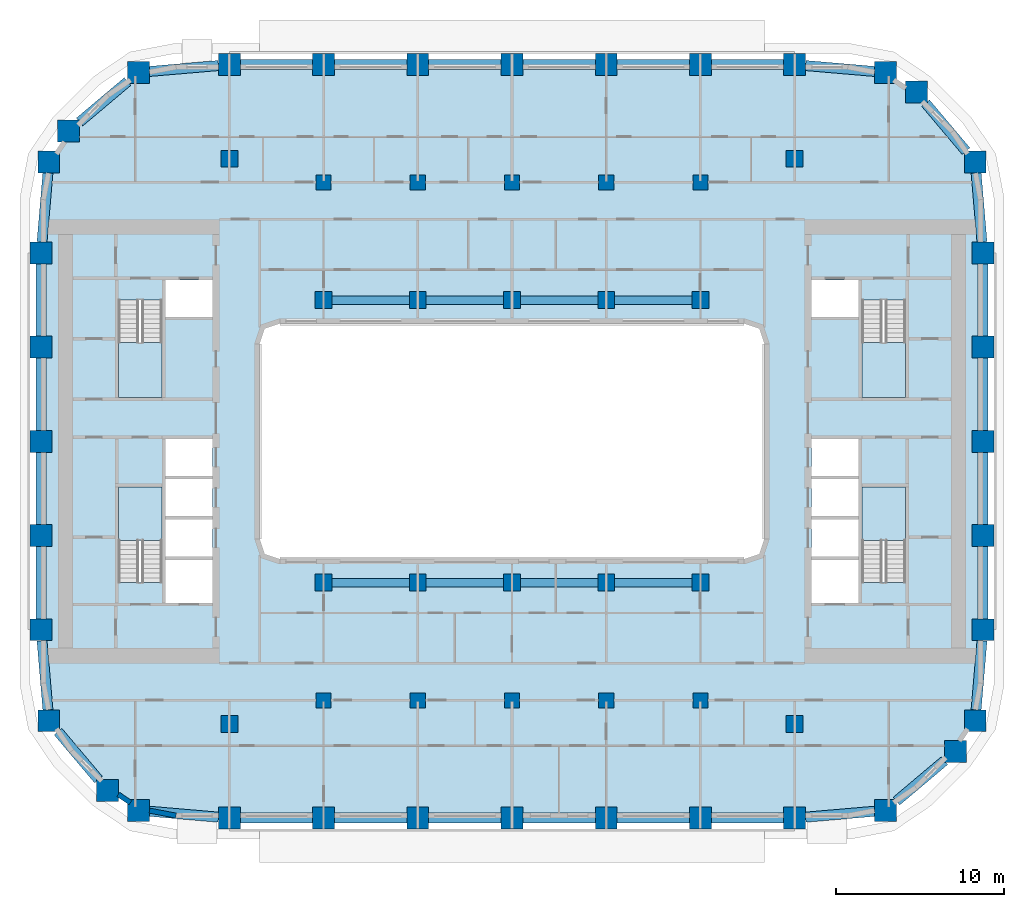
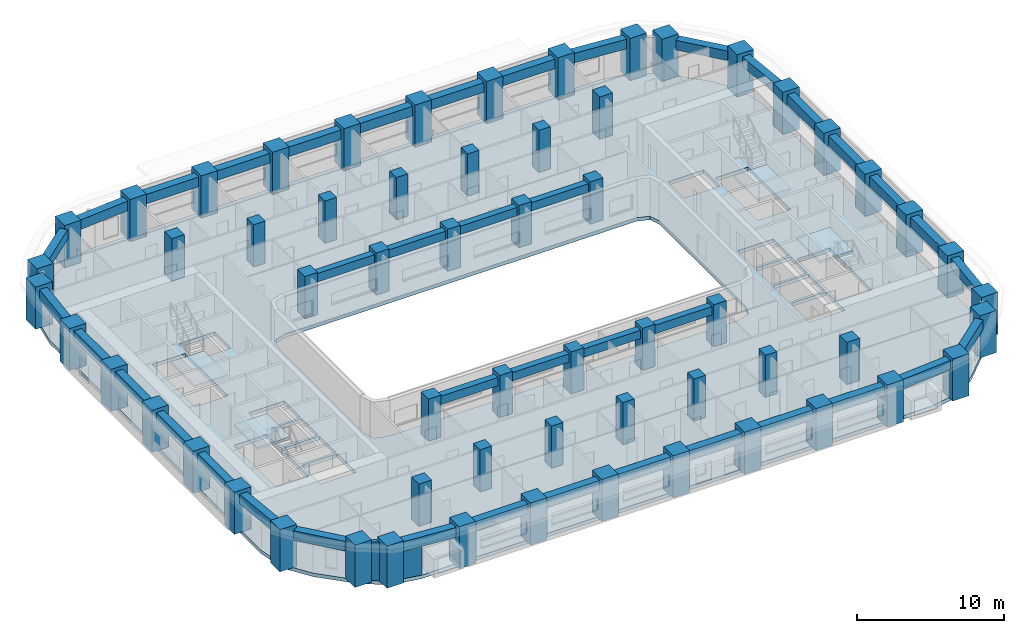
# One storey, part 1 of 22: 60 columns, 40 beams, 5 slabs, 2 walls, 4 elements without a shape of their own.
"""IFC4 building model written with IfcOpenShell, lengths in metres."""

import ifcopenshell
import ifcopenshell.guid

model = None  # the IFC model being written
_history = None  # IfcOwnerHistory: only IFC2X3 demands one
_inside = {}  # id of a spatial element -> (the spatial element, [elements in it])
_under = {}  # id of a project, library or spatial element -> (it, [spatial elements below it])
_declared = {}  # id of a project -> (the project, [libraries it declares])
_typed = {}  # id of a type object -> (the type object, [elements of that type])
_made_of = {}  # id of a material, layer set ... -> (it, [elements and type objects made of it])


def new_model(schema):
    """Start an empty IFC model of exactly this schema.

    Asked for "IFC4X3", IfcOpenShell would pick the latest addendum, in which some entities
    have other attributes; the version numbers below select the first issue.
    IFC2X3 requires an IfcOwnerHistory on every rooted entity: one is made here for all.
    """
    global model, _history
    if schema == "IFC4X3":
        model = ifcopenshell.file(schema_version=(4, 3, 0, 0))
    else:
        model = ifcopenshell.file(schema=schema)
    _inside.clear()
    _under.clear()
    _declared.clear()
    _typed.clear()
    _made_of.clear()
    _history = None
    if model.schema == "IFC2X3":
        org = make("IfcOrganization", Name="unknown")
        user = make(
            "IfcPersonAndOrganization",
            ThePerson=make("IfcPerson", FamilyName="unknown"),
            TheOrganization=org,
        )
        app = make(
            "IfcApplication",
            ApplicationDeveloper=org,
            Version="unknown",
            ApplicationFullName="unknown",
            ApplicationIdentifier="unknown",
        )
        _history = make(
            "IfcOwnerHistory",
            OwningUser=user,
            OwningApplication=app,
            ChangeAction="ADDED",
            CreationDate=0,
        )
    return model


def make(cls, **values):
    """One entity of the class cls with the attributes given. An attribute that is None is left unset."""
    return model.create_entity(
        cls, **{name: value for name, value in values.items() if value is not None}
    )


def rooted(cls, **values):
    """An entity with a GlobalId (a new one), such as an element, a storey or a relation."""
    return make(cls, GlobalId=ifcopenshell.guid.new(), OwnerHistory=_history, **values)


def si_unit(unit_type, name, prefix=None):
    """IfcSIUnit, for example si_unit("LENGTHUNIT", "METRE", prefix="MILLI")."""
    return make("IfcSIUnit", UnitType=unit_type, Prefix=prefix, Name=name)


def assignment(units):
    """IfcUnitAssignment: the units of a project."""
    return None if units is None else make("IfcUnitAssignment", Units=units)


def point(xyz):
    """IfcCartesianPoint."""
    return None if xyz is None else make("IfcCartesianPoint", Coordinates=xyz)


def direction(xyz):
    """IfcDirection."""
    return None if xyz is None else make("IfcDirection", DirectionRatios=xyz)


def frame(location, z_axis=None, x_axis=None):
    """IfcAxis2Placement3D, a coordinate frame: its origin and axes. An axis left out is left unset."""
    return make(
        "IfcAxis2Placement3D",
        Location=point(location),
        Axis=direction(z_axis),
        RefDirection=direction(x_axis),
    )


def frame_2d(location, x_axis=None):
    """IfcAxis2Placement2D, a coordinate frame in the plane: its origin and x axis."""
    return make(
        "IfcAxis2Placement2D", Location=point(location), RefDirection=direction(x_axis)
    )


def origin():
    """The frame at (0, 0, 0) with its axes left unset."""
    return frame((0.0, 0.0, 0.0))


def origin_2d():
    """The frame at (0, 0) in the plane with its x axis left unset."""
    return frame_2d((0.0, 0.0))


def place(relative_to, where):
    """IfcLocalPlacement: puts the frame where relative to a parent placement (None: the world)."""
    return make(
        "IfcLocalPlacement", PlacementRelTo=relative_to, RelativePlacement=where
    )


def context(
    kind, dimensions, precision=None, world=None, true_north=None, identifier=None
):
    """IfcGeometricRepresentationContext, for example the 3D "Model" context."""
    return make(
        "IfcGeometricRepresentationContext",
        ContextIdentifier=identifier,
        ContextType=kind,
        CoordinateSpaceDimension=dimensions,
        Precision=precision,
        WorldCoordinateSystem=world,
        TrueNorth=true_north,
    )


def subcontext(parent, identifier, kind, view, scale=None):
    """IfcGeometricRepresentationSubContext, for example "Body" below "Model"."""
    return make(
        "IfcGeometricRepresentationSubContext",
        ContextIdentifier=identifier,
        ContextType=kind,
        ParentContext=parent,
        TargetScale=scale,
        TargetView=view,
    )


def project(units=None, contexts=None):
    """IfcProject with its units and contexts."""
    return rooted(
        "IfcProject",
        Name="project",
        RepresentationContexts=contexts,
        UnitsInContext=assignment(units),
    )


def spatial(cls, under=None, at=None, **own):
    """A site, building, storey or space (cls), placed at a placement, below another one or the project."""
    s = rooted(cls, ObjectPlacement=at, **own)
    if under is not None:
        _under.setdefault(under.id(), (under, []))[1].append(s)
    return s


def polyline(points):
    """IfcPolyline through the points."""
    return make("IfcPolyline", Points=[point(p) for p in points])


def profile(cls, at=None, kind="AREA", **sizes):
    """A parametric profile (cls). Its sizes go by their IFC names, for example OverallWidth=200.0."""
    return make(cls, ProfileType=kind, Position=at, **sizes)


def rectangle(**sizes):
    """IfcRectangleProfileDef."""
    return profile("IfcRectangleProfileDef", **sizes)


def outline(outer, holes=None, kind="AREA"):
    """IfcArbitraryClosedProfileDef: a profile drawn as a closed curve; with holes, ...WithVoids."""
    if holes is None:
        return make("IfcArbitraryClosedProfileDef", ProfileType=kind, OuterCurve=outer)
    return make(
        "IfcArbitraryProfileDefWithVoids",
        ProfileType=kind,
        OuterCurve=outer,
        InnerCurves=holes,
    )


def extrude(swept, where, along, depth):
    """IfcExtrudedAreaSolid: the profile swept, set in the frame where, extruded along a direction by depth."""
    return make(
        "IfcExtrudedAreaSolid",
        SweptArea=swept,
        Position=where,
        ExtrudedDirection=direction(along),
        Depth=depth,
    )


def shape(context_of_items, identifier, shape_type, items):
    """IfcShapeRepresentation: the items that make up one representation, for example the "Body"."""
    return make(
        "IfcShapeRepresentation",
        ContextOfItems=context_of_items,
        RepresentationIdentifier=identifier,
        RepresentationType=shape_type,
        Items=items,
    )


def material(Name=None, Category=None):
    """IfcMaterial."""
    return make("IfcMaterial", Name=Name, Category=Category)


def layer(
    of_material, thickness, ventilated=None, Name=None, Category=None, Priority=None
):
    """IfcMaterialLayer: one layer of a wall or slab, of a material (None: an air gap)."""
    return make(
        "IfcMaterialLayer",
        Material=of_material,
        LayerThickness=thickness,
        IsVentilated=ventilated,
        Name=Name,
        Category=Category,
        Priority=Priority,
    )


def layer_set(layers, Name=None):
    """IfcMaterialLayerSet."""
    return make("IfcMaterialLayerSet", MaterialLayers=layers, LayerSetName=Name)


def material_profile(
    of_material, cross_section, Name=None, Category=None, Priority=None
):
    """IfcMaterialProfile: a cross section and its material."""
    return make(
        "IfcMaterialProfile",
        Name=Name,
        Material=of_material,
        Profile=cross_section,
        Priority=Priority,
        Category=Category,
    )


def profile_set(profiles, Name=None, composite=None):
    """IfcMaterialProfileSet."""
    return make(
        "IfcMaterialProfileSet",
        Name=Name,
        MaterialProfiles=profiles,
        CompositeProfile=composite,
    )


def made_of(thing, what):
    """Note that an element or type object is made of a material, layer set ...; save() writes the relation."""
    if what is not None:
        _made_of.setdefault(what.id(), (what, []))[1].append(thing)
    return thing


def type_object(cls, material=None, **own):
    """A type object (cls), such as IfcWallType, which elements share."""
    return made_of(rooted(cls, **own), material)


def element(
    cls,
    number,
    at=None,
    inside=None,
    cuts=None,
    type_object=None,
    material=None,
    context=None,
    identifier="Body",
    shape_type=None,
    held_by="IfcProductDefinitionShape",
    body=None,
    shapes=None,
    **own,
):
    """One element of the class cls, such as IfcWall. Its Tag is "e" and its number.

    at: its placement. inside: the storey or other place that contains it. cuts: it is an
    opening in that element (IfcRelVoidsElement). A single representation is given by context,
    identifier, shape_type and body (its items); several are given by shapes. held_by: the class
    of the entity that holds the representations. save() writes the other relations.
    """
    e = rooted(cls, Tag="e%d" % number, ObjectPlacement=at, **own)
    if body is not None:
        shapes = [shape(context, identifier, shape_type, body)]
    if shapes is not None:
        e.Representation = make(held_by, Representations=shapes)
    if inside is not None:
        _inside.setdefault(inside.id(), (inside, []))[1].append(e)
    if cuts is not None:
        rooted(
            "IfcRelVoidsElement", RelatingBuildingElement=cuts, RelatedOpeningElement=e
        )
    if type_object is not None:
        _typed.setdefault(type_object.id(), (type_object, []))[1].append(e)
    return made_of(e, material)


def aggregate(whole, parts):
    """IfcRelAggregates: a whole, such as a stair, and the parts it consists of."""
    return rooted("IfcRelAggregates", RelatingObject=whole, RelatedObjects=parts)


def save(model, path):
    """Write the relations noted so far, then the file.

    IfcRelAggregates (storeys below a building ...), IfcRelContainedInSpatialStructure (elements
    in a storey), IfcRelDefinesByType, IfcRelAssociatesMaterial and IfcRelDeclares: one each for
    every whole, place, type object, material and project.
    """
    for whole, parts in _under.values():
        aggregate(whole, parts)
    for where, things in _inside.values():
        rooted(
            "IfcRelContainedInSpatialStructure",
            RelatedElements=things,
            RelatingStructure=where,
        )
    for kind, things in _typed.values():
        rooted("IfcRelDefinesByType", RelatedObjects=things, RelatingType=kind)
    for what, things in _made_of.values():
        rooted("IfcRelAssociatesMaterial", RelatedObjects=things, RelatingMaterial=what)
    for by, libraries in _declared.values():
        rooted("IfcRelDeclares", RelatingContext=by, RelatedDefinitions=libraries)
    model.write(path)


model = new_model("IFC4")

# Units and contexts
model_context = context("Model", 3, precision=1e-05, world=origin(), true_north=direction((0.0, 1.0)))
body_context = subcontext(model_context, "Body", "Model", "MODEL_VIEW")
ifc_project = project(units=[si_unit("LENGTHUNIT", "METRE"), si_unit("AREAUNIT", "SQUARE_METRE"), si_unit("VOLUMEUNIT", "CUBIC_METRE"), si_unit("PLANEANGLEUNIT", "RADIAN"), si_unit("MASSUNIT", "GRAM", prefix="KILO")], contexts=[model_context])

# Site, building, storey
site_placement = place(None, origin())
site = spatial("IfcSite", under=ifc_project, at=site_placement, CompositionType="ELEMENT")
building_placement = place(site_placement, origin())
building = spatial("IfcBuilding", under=site, at=building_placement, Name="Kiln Ring Residences", CompositionType="ELEMENT")
storey_placement = place(building_placement, frame((0.0, 0.0, 97.300048828125)))
storey = spatial("IfcBuildingStorey", under=building, at=storey_placement, Name="L24", CompositionType="ELEMENT", Elevation=97.300048828125)

# Columns
ifc_material_1 = material(Name="Concrete C80/95", Category="concrete")
ifc_material_profile_1 = material_profile(ifc_material_1, rectangle(XDim=0.89990234375, YDim=0.89990234375, at=origin_2d()), Name="RC900x900")
ifc_profile_set_1 = profile_set([ifc_material_profile_1], Name="Concrete C80/95")
column_type_1 = type_object("IfcColumnType", Name="Corridor column RC900x900 C80/95", PredefinedType="COLUMN", material=ifc_profile_set_1)
for number, where, z_axis, x_axis, name in (
    (1, (-11.199951171875, 15.39990234375, 0.0), (0.0, 0.0, 1.0), (1.0, 0.0, 0.0), "Corridor column L24 1"),
    (2, (-5.60009765625, 15.39990234375, 0.0), (0.0, 0.0, 1.0), (1.0, 0.0, 0.0), "Corridor column L24 2"),
    (3, (0.0, 15.39990234375, 0.0), (0.0, 0.0, 1.0), (1.0, 0.0, 0.0), "Corridor column L24 3"),
    (4, (5.60009765625, 15.39990234375, 0.0), (0.0, 0.0, 1.0), (1.0, 0.0, 0.0), "Corridor column L24 4"),
    (5, (11.199951171875, 15.39990234375, 0.0), (0.0, 0.0, 1.0), (1.0, 0.0, 0.0), "Corridor column L24 5"),
    (6, (-11.199951171875, -15.39990234375, 0.0), (0.0, 0.0, 1.0), (1.0, 0.0, 0.0), "Corridor column L24 6"),
    (7, (-5.60009765625, -15.39990234375, 0.0), (0.0, 0.0, 1.0), (1.0, 0.0, 0.0), "Corridor column L24 7"),
    (8, (0.0, -15.39990234375, 0.0), (0.0, 0.0, 1.0), (1.0, 0.0, 0.0), "Corridor column L24 8"),
    (9, (5.60009765625, -15.39990234375, 0.0), (0.0, 0.0, 1.0), (1.0, 0.0, 0.0), "Corridor column L24 9"),
    (10, (11.199951171875, -15.39990234375, 0.0), (0.0, 0.0, 1.0), (1.0, 0.0, 0.0), "Corridor column L24 10"),
):
    element("IfcColumn", number, at=place(storey_placement, frame(where, z_axis=z_axis, x_axis=x_axis)), inside=storey, type_object=column_type_1, Name=name, PredefinedType="COLUMN", context=body_context, shape_type="SweptSolid", body=[
        extrude(rectangle(XDim=0.89990234375, YDim=0.89990234375, at=origin_2d()), origin(), (0.0, 0.0, 1.0), 3.5),
    ])
ifc_material_2 = material(Name="Concrete C80/95", Category="concrete")
ifc_material_profile_2 = material_profile(ifc_material_2, rectangle(XDim=1.300048828125, YDim=1.300048828125, at=origin_2d()), Name="RC1300x1300")
ifc_profile_set_2 = profile_set([ifc_material_profile_2], Name="Concrete C80/95")
column_type_2 = type_object("IfcColumnType", Name="Perimeter column RC1300x1300 C80/95", PredefinedType="COLUMN", material=ifc_profile_set_2)
for number, where, z_axis, x_axis, name in (
    (11, (-22.208740234375, -21.93798828125, 0.0), (0.0, 0.0, 1.0), (1.0, 0.0, 0.0), "Perimeter column L24 1"),
    (12, (-16.800048828125, -22.39990234375, 0.0), (0.0, 0.0, 1.0), (1.0, 0.0, 0.0), "Perimeter column L24 2"),
    (13, (-11.199951171875, -22.39990234375, 0.0), (0.0, 0.0, 1.0), (1.0, 0.0, 0.0), "Perimeter column L24 3"),
    (14, (-5.60009765625, -22.39990234375, 0.0), (0.0, 0.0, 1.0), (1.0, 0.0, 0.0), "Perimeter column L24 4"),
    (15, (0.0, -22.39990234375, 0.0), (0.0, 0.0, 1.0), (1.0, 0.0, 0.0), "Perimeter column L24 5"),
    (16, (5.60009765625, -22.39990234375, 0.0), (0.0, 0.0, 1.0), (1.0, 0.0, 0.0), "Perimeter column L24 6"),
    (17, (11.199951171875, -22.39990234375, 0.0), (0.0, 0.0, 1.0), (1.0, 0.0, 0.0), "Perimeter column L24 7"),
    (18, (16.800048828125, -22.39990234375, 0.0), (0.0, 0.0, 1.0), (1.0, 0.0, 0.0), "Perimeter column L24 8"),
    (19, (22.208740234375, -21.93798828125, 0.0), (0.0, 0.0, 1.0), (1.0, 0.0, 0.0), "Perimeter column L24 9"),
    (20, (26.35986328125, -18.440185546875, 0.0), (0.0, 0.0, 1.0), (1.0, 0.0, 0.0), "Perimeter column L24 10"),
    (21, (27.5380859375, -16.608642578125, 0.0), (0.0, 0.0, 1.0), (1.0, 0.0, 0.0), "Perimeter column L24 11"),
    (22, (28.0, -11.199951171875, 0.0), (0.0, 0.0, 1.0), (1.0, 0.0, 0.0), "Perimeter column L24 12"),
    (23, (28.0, -5.60009765625, 0.0), (0.0, 0.0, 1.0), (1.0, 0.0, 0.0), "Perimeter column L24 13"),
    (24, (28.0, 0.0, 0.0), (0.0, 0.0, 1.0), (1.0, 0.0, 0.0), "Perimeter column L24 14"),
    (25, (28.0, 5.60009765625, 0.0), (0.0, 0.0, 1.0), (1.0, 0.0, 0.0), "Perimeter column L24 15"),
    (26, (28.0, 11.199951171875, 0.0), (0.0, 0.0, 1.0), (1.0, 0.0, 0.0), "Perimeter column L24 16"),
    (27, (27.5380859375, 16.608642578125, 0.0), (0.0, 0.0, 1.0), (1.0, 0.0, 0.0), "Perimeter column L24 17"),
    (28, (24.040283203125, 20.759765625, 0.0), (0.0, 0.0, 1.0), (1.0, 0.0, 0.0), "Perimeter column L24 18"),
    (29, (22.208740234375, 21.93798828125, 0.0), (0.0, 0.0, 1.0), (1.0, 0.0, 0.0), "Perimeter column L24 19"),
    (30, (16.800048828125, 22.39990234375, 0.0), (0.0, 0.0, 1.0), (1.0, 0.0, 0.0), "Perimeter column L24 20"),
    (31, (11.199951171875, 22.39990234375, 0.0), (0.0, 0.0, 1.0), (1.0, 0.0, 0.0), "Perimeter column L24 21"),
    (32, (5.60009765625, 22.39990234375, 0.0), (0.0, 0.0, 1.0), (1.0, 0.0, 0.0), "Perimeter column L24 22"),
    (33, (0.0, 22.39990234375, 0.0), (0.0, 0.0, 1.0), (1.0, 0.0, 0.0), "Perimeter column L24 23"),
    (34, (-5.60009765625, 22.39990234375, 0.0), (0.0, 0.0, 1.0), (1.0, 0.0, 0.0), "Perimeter column L24 24"),
    (35, (-11.199951171875, 22.39990234375, 0.0), (0.0, 0.0, 1.0), (1.0, 0.0, 0.0), "Perimeter column L24 25"),
    (36, (-16.800048828125, 22.39990234375, 0.0), (0.0, 0.0, 1.0), (1.0, 0.0, 0.0), "Perimeter column L24 26"),
    (37, (-22.208740234375, 21.93798828125, 0.0), (0.0, 0.0, 1.0), (1.0, 0.0, 0.0), "Perimeter column L24 27"),
    (38, (-26.35986328125, 18.440185546875, 0.0), (0.0, 0.0, 1.0), (1.0, 0.0, 0.0), "Perimeter column L24 28"),
    (39, (-27.5380859375, 16.608642578125, 0.0), (0.0, 0.0, 1.0), (1.0, 0.0, 0.0), "Perimeter column L24 29"),
    (40, (-28.0, 11.199951171875, 0.0), (0.0, 0.0, 1.0), (1.0, 0.0, 0.0), "Perimeter column L24 30"),
    (41, (-28.0, 5.60009765625, 0.0), (0.0, 0.0, 1.0), (1.0, 0.0, 0.0), "Perimeter column L24 31"),
    (42, (-28.0, 0.0, 0.0), (0.0, 0.0, 1.0), (1.0, 0.0, 0.0), "Perimeter column L24 32"),
    (43, (-28.0, -5.60009765625, 0.0), (0.0, 0.0, 1.0), (1.0, 0.0, 0.0), "Perimeter column L24 33"),
    (44, (-28.0, -11.199951171875, 0.0), (0.0, 0.0, 1.0), (1.0, 0.0, 0.0), "Perimeter column L24 34"),
    (45, (-27.5380859375, -16.608642578125, 0.0), (0.0, 0.0, 1.0), (1.0, 0.0, 0.0), "Perimeter column L24 35"),
    (46, (-24.040283203125, -20.759765625, 0.0), (0.0, 0.0, 1.0), (1.0, 0.0, 0.0), "Perimeter column L24 36"),
):
    element("IfcColumn", number, at=place(storey_placement, frame(where, z_axis=z_axis, x_axis=x_axis)), inside=storey, type_object=column_type_2, Name=name, PredefinedType="COLUMN", context=body_context, shape_type="SweptSolid", body=[
        extrude(rectangle(XDim=1.300048828125, YDim=1.300048828125, at=origin_2d()), origin(), (0.0, 0.0, 1.0), 3.5),
    ])
ifc_material_3 = material(Name="Concrete C80/95", Category="concrete")
ifc_material_profile_3 = material_profile(ifc_material_3, rectangle(XDim=1.0, YDim=1.0, at=origin_2d()), Name="RC1000x1000")
ifc_profile_set_3 = profile_set([ifc_material_profile_3], Name="Concrete C80/95")
column_type_3 = type_object("IfcColumnType", Name="Ring column RC1000x1000 C80/95", PredefinedType="COLUMN", material=ifc_profile_set_3)
for number, where, z_axis, x_axis, name in (
    (47, (-16.800048828125, -16.800048828125, 0.0), (0.0, 0.0, 1.0), (1.0, 0.0, 0.0), "Ring column L24 1"),
    (48, (-16.800048828125, 16.800048828125, 0.0), (0.0, 0.0, 1.0), (1.0, 0.0, 0.0), "Ring column L24 2"),
    (49, (-11.199951171875, -8.39990234375, 0.0), (0.0, 0.0, 1.0), (1.0, 0.0, 0.0), "Ring column L24 3"),
    (50, (-11.199951171875, 8.39990234375, 0.0), (0.0, 0.0, 1.0), (1.0, 0.0, 0.0), "Ring column L24 4"),
    (51, (-5.60009765625, -8.39990234375, 0.0), (0.0, 0.0, 1.0), (1.0, 0.0, 0.0), "Ring column L24 5"),
    (52, (-5.60009765625, 8.39990234375, 0.0), (0.0, 0.0, 1.0), (1.0, 0.0, 0.0), "Ring column L24 6"),
    (53, (0.0, -8.39990234375, 0.0), (0.0, 0.0, 1.0), (1.0, 0.0, 0.0), "Ring column L24 7"),
    (54, (0.0, 8.39990234375, 0.0), (0.0, 0.0, 1.0), (1.0, 0.0, 0.0), "Ring column L24 8"),
    (55, (5.60009765625, -8.39990234375, 0.0), (0.0, 0.0, 1.0), (1.0, 0.0, 0.0), "Ring column L24 9"),
    (56, (5.60009765625, 8.39990234375, 0.0), (0.0, 0.0, 1.0), (1.0, 0.0, 0.0), "Ring column L24 10"),
    (57, (11.199951171875, -8.39990234375, 0.0), (0.0, 0.0, 1.0), (1.0, 0.0, 0.0), "Ring column L24 11"),
    (58, (11.199951171875, 8.39990234375, 0.0), (0.0, 0.0, 1.0), (1.0, 0.0, 0.0), "Ring column L24 12"),
    (59, (16.800048828125, -16.800048828125, 0.0), (0.0, 0.0, 1.0), (1.0, 0.0, 0.0), "Ring column L24 13"),
    (60, (16.800048828125, 16.800048828125, 0.0), (0.0, 0.0, 1.0), (1.0, 0.0, 0.0), "Ring column L24 14"),
):
    element("IfcColumn", number, at=place(storey_placement, frame(where, z_axis=z_axis, x_axis=x_axis)), inside=storey, type_object=column_type_3, Name=name, PredefinedType="COLUMN", context=body_context, shape_type="SweptSolid", body=[
        extrude(rectangle(XDim=1.0, YDim=1.0, at=origin_2d()), origin(), (0.0, 0.0, 1.0), 3.5),
    ])

# Beams
ifc_material_4 = material(Name="Concrete C50/60", Category="concrete")
ifc_material_profile_4 = material_profile(ifc_material_4, rectangle(XDim=0.5, YDim=0.699951171875, at=origin_2d()), Name="RC500x700")
ifc_profile_set_4 = profile_set([ifc_material_profile_4], Name="Concrete C50/60")
beam_type_1 = type_object("IfcBeamType", Name="Ring beam RC500x700 C50/60", PredefinedType="BEAM", material=ifc_profile_set_4)
beam_1_placement = place(storey_placement, frame((-10.699951171875, -8.39990234375, 2.849853515625), z_axis=(1.0, 0.0, 0.0), x_axis=(0.0, 1.0, 0.0)))
element("IfcBeam", 61, at=beam_1_placement, inside=storey, type_object=beam_type_1, Name="Ring beam L24 1", PredefinedType="BEAM", context=body_context, shape_type="SweptSolid", body=[
    extrude(rectangle(XDim=0.5, YDim=0.699951171875, at=origin_2d()), origin(), (0.0, 0.0, 1.0), 4.599853515625),
])
for number, where, z_axis, x_axis, name in (
    (62, (-5.10009765625, -8.39990234375, 2.849853515625), (1.0, 0.0, 0.0), (0.0, 1.0, 0.0), "Ring beam L24 2"),
    (63, (0.5, -8.39990234375, 2.849853515625), (1.0, 0.0, 0.0), (0.0, 1.0, 0.0), "Ring beam L24 3"),
):
    element("IfcBeam", number, at=place(storey_placement, frame(where, z_axis=z_axis, x_axis=x_axis)), inside=storey, type_object=beam_type_1, Name=name, PredefinedType="BEAM", context=body_context, shape_type="SweptSolid", body=[
        extrude(rectangle(XDim=0.5, YDim=0.699951171875, at=origin_2d()), origin(), (0.0, 0.0, 1.0), 4.60009765625),
    ])
for number, where, z_axis, x_axis, name in (
    (64, (6.10009765625, -8.39990234375, 2.849853515625), (1.0, 0.0, 0.0), (0.0, 1.0, 0.0), "Ring beam L24 4"),
    (65, (-10.699951171875, 8.39990234375, 2.849853515625), (1.0, 0.0, 0.0), (0.0, 1.0, 0.0), "Ring beam L24 5"),
):
    element("IfcBeam", number, at=place(storey_placement, frame(where, z_axis=z_axis, x_axis=x_axis)), inside=storey, type_object=beam_type_1, Name=name, PredefinedType="BEAM", context=body_context, shape_type="SweptSolid", body=[
        extrude(rectangle(XDim=0.5, YDim=0.699951171875, at=origin_2d()), origin(), (0.0, 0.0, 1.0), 4.599853515625),
    ])
for number, where, z_axis, x_axis, name in (
    (66, (-5.10009765625, 8.39990234375, 2.849853515625), (1.0, 0.0, 0.0), (0.0, 1.0, 0.0), "Ring beam L24 6"),
    (67, (0.5, 8.39990234375, 2.849853515625), (1.0, 0.0, 0.0), (0.0, 1.0, 0.0), "Ring beam L24 7"),
):
    element("IfcBeam", number, at=place(storey_placement, frame(where, z_axis=z_axis, x_axis=x_axis)), inside=storey, type_object=beam_type_1, Name=name, PredefinedType="BEAM", context=body_context, shape_type="SweptSolid", body=[
        extrude(rectangle(XDim=0.5, YDim=0.699951171875, at=origin_2d()), origin(), (0.0, 0.0, 1.0), 4.60009765625),
    ])
beam_2_placement = place(storey_placement, frame((6.10009765625, 8.39990234375, 2.849853515625), z_axis=(1.0, 0.0, 0.0), x_axis=(0.0, 1.0, 0.0)))
element("IfcBeam", 68, at=beam_2_placement, inside=storey, type_object=beam_type_1, Name="Ring beam L24 8", PredefinedType="BEAM", context=body_context, shape_type="SweptSolid", body=[
    extrude(rectangle(XDim=0.5, YDim=0.699951171875, at=origin_2d()), origin(), (0.0, 0.0, 1.0), 4.599853515625),
])
ifc_material_5 = material(Name="Concrete C50/60", Category="concrete")
ifc_material_profile_5 = material_profile(ifc_material_5, rectangle(XDim=0.60009765625, YDim=0.800048828125, at=origin_2d()), Name="RC600x800")
ifc_profile_set_5 = profile_set([ifc_material_profile_5], Name="Concrete C50/60")
beam_type_2 = type_object("IfcBeamType", Name="Spandrel beam RC600x800 C50/60", PredefinedType="SPANDREL", material=ifc_profile_set_5)
beam_3_placement = place(storey_placement, frame((-21.55859375, -21.99365234375, 2.800048828125), z_axis=(0.99637423264, -0.085078719609, 0.0), x_axis=(0.085078719609, 0.99637423264, 0.0)))
element("IfcBeam", 69, at=beam_3_placement, inside=storey, type_object=beam_type_2, Name="Spandrel beam L24 1", PredefinedType="SPANDREL", context=body_context, shape_type="SweptSolid", body=[
    extrude(rectangle(XDim=0.60009765625, YDim=0.800048828125, at=origin_2d()), origin(), (0.0, 0.0, 1.0), 4.12353515625),
])
beam_4_placement = place(storey_placement, frame((-16.14990234375, -22.39990234375, 2.800048828125), z_axis=(1.0, 0.0, 0.0), x_axis=(0.0, 1.0, 0.0)))
element("IfcBeam", 70, at=beam_4_placement, inside=storey, type_object=beam_type_2, Name="Spandrel beam L24 2", PredefinedType="SPANDREL", context=body_context, shape_type="SweptSolid", body=[
    extrude(rectangle(XDim=0.60009765625, YDim=0.800048828125, at=origin_2d()), origin(), (0.0, 0.0, 1.0), 4.2998046875),
])
for number, where, z_axis, x_axis, name in (
    (71, (-10.550048828125, -22.39990234375, 2.800048828125), (1.0, 0.0, 0.0), (0.0, 1.0, 0.0), "Spandrel beam L24 3"),
    (72, (-4.949951171875, -22.39990234375, 2.800048828125), (1.0, 0.0, 0.0), (0.0, 1.0, 0.0), "Spandrel beam L24 4"),
    (73, (0.64990234375, -22.39990234375, 2.800048828125), (1.0, 0.0, 0.0), (0.0, 1.0, 0.0), "Spandrel beam L24 5"),
    (74, (6.25, -22.39990234375, 2.800048828125), (1.0, 0.0, 0.0), (0.0, 1.0, 0.0), "Spandrel beam L24 6"),
):
    element("IfcBeam", number, at=place(storey_placement, frame(where, z_axis=z_axis, x_axis=x_axis)), inside=storey, type_object=beam_type_2, Name=name, PredefinedType="SPANDREL", context=body_context, shape_type="SweptSolid", body=[
        extrude(rectangle(XDim=0.60009765625, YDim=0.800048828125, at=origin_2d()), origin(), (0.0, 0.0, 1.0), 4.300048828125),
    ])
beam_5_placement = place(storey_placement, frame((11.85009765625, -22.39990234375, 2.800048828125), z_axis=(1.0, 0.0, 0.0), x_axis=(0.0, 1.0, 0.0)))
element("IfcBeam", 75, at=beam_5_placement, inside=storey, type_object=beam_type_2, Name="Spandrel beam L24 7", PredefinedType="SPANDREL", context=body_context, shape_type="SweptSolid", body=[
    extrude(rectangle(XDim=0.60009765625, YDim=0.800048828125, at=origin_2d()), origin(), (0.0, 0.0, 1.0), 4.2998046875),
])
beam_6_placement = place(storey_placement, frame((17.449951171875, -22.344482421875, 2.800048828125), z_axis=(0.99637423264, 0.085078719609, 0.0), x_axis=(-0.085078719609, 0.99637423264, 0.0)))
element("IfcBeam", 76, at=beam_6_placement, inside=storey, type_object=beam_type_2, Name="Spandrel beam L24 8", PredefinedType="SPANDREL", context=body_context, shape_type="SweptSolid", body=[
    extrude(rectangle(XDim=0.60009765625, YDim=0.800048828125, at=origin_2d()), origin(), (0.0, 0.0, 1.0), 4.12353515625),
])
beam_7_placement = place(storey_placement, frame((22.858642578125, -21.390380859375, 2.800048828125), z_axis=(0.764720974908, 0.644361568171, 0.0), x_axis=(-0.644361568171, 0.764720974908, 0.0)))
element("IfcBeam", 77, at=beam_7_placement, inside=storey, type_object=beam_type_2, Name="Spandrel beam L24 9", PredefinedType="SPANDREL", context=body_context, shape_type="SweptSolid", body=[
    extrude(rectangle(XDim=0.60009765625, YDim=0.800048828125, at=origin_2d()), origin(), (0.0, 0.0, 1.0), 3.728271484375),
])
beam_8_placement = place(storey_placement, frame((27.593505859375, -15.958740234375, 2.800048828125), z_axis=(0.0851374964, 0.996369212043, 0.0), x_axis=(-0.996369212043, 0.0851374964, 0.0)))
element("IfcBeam", 78, at=beam_8_placement, inside=storey, type_object=beam_type_2, Name="Spandrel beam L24 10", PredefinedType="SPANDREL", context=body_context, shape_type="SweptSolid", body=[
    extrude(rectangle(XDim=0.60009765625, YDim=0.800048828125, at=origin_2d()), origin(), (0.0, 0.0, 1.0), 4.12353515625),
])
for number, where, z_axis, x_axis, name in (
    (79, (28.0, -10.550048828125, 2.800048828125), (0.0, 1.0, 0.0), (-1.0, 0.0, 0.0), "Spandrel beam L24 11"),
    (80, (28.0, -4.949951171875, 2.800048828125), (0.0, 1.0, 0.0), (-1.0, 0.0, 0.0), "Spandrel beam L24 12"),
    (81, (28.0, 0.64990234375, 2.800048828125), (0.0, 1.0, 0.0), (-1.0, 0.0, 0.0), "Spandrel beam L24 13"),
    (82, (28.0, 6.25, 2.800048828125), (0.0, 1.0, 0.0), (-1.0, 0.0, 0.0), "Spandrel beam L24 14"),
):
    element("IfcBeam", number, at=place(storey_placement, frame(where, z_axis=z_axis, x_axis=x_axis)), inside=storey, type_object=beam_type_2, Name=name, PredefinedType="SPANDREL", context=body_context, shape_type="SweptSolid", body=[
        extrude(rectangle(XDim=0.60009765625, YDim=0.800048828125, at=origin_2d()), origin(), (0.0, 0.0, 1.0), 4.300048828125),
    ])
beam_9_placement = place(storey_placement, frame((27.944580078125, 11.85009765625, 2.800048828125), z_axis=(-0.0851374964, 0.996369212043, 0.0), x_axis=(-0.996369212043, -0.0851374964, 0.0)))
element("IfcBeam", 83, at=beam_9_placement, inside=storey, type_object=beam_type_2, Name="Spandrel beam L24 15", PredefinedType="SPANDREL", context=body_context, shape_type="SweptSolid", body=[
    extrude(rectangle(XDim=0.60009765625, YDim=0.800048828125, at=origin_2d()), origin(), (0.0, 0.0, 1.0), 4.12353515625),
])
beam_10_placement = place(storey_placement, frame((26.990478515625, 17.2587890625, 2.800048828125), z_axis=(-0.644399860611, 0.764688707674, 0.0), x_axis=(-0.764688707674, -0.644399860611, 0.0)))
element("IfcBeam", 84, at=beam_10_placement, inside=storey, type_object=beam_type_2, Name="Spandrel beam L24 16", PredefinedType="SPANDREL", context=body_context, shape_type="SweptSolid", body=[
    extrude(rectangle(XDim=0.60009765625, YDim=0.800048828125, at=origin_2d()), origin(), (0.0, 0.0, 1.0), 3.728515625),
])
beam_11_placement = place(storey_placement, frame((21.55859375, 21.99365234375, 2.800048828125), z_axis=(-0.99637423264, 0.085078719609, 0.0), x_axis=(-0.085078719609, -0.99637423264, 0.0)))
element("IfcBeam", 85, at=beam_11_placement, inside=storey, type_object=beam_type_2, Name="Spandrel beam L24 17", PredefinedType="SPANDREL", context=body_context, shape_type="SweptSolid", body=[
    extrude(rectangle(XDim=0.60009765625, YDim=0.800048828125, at=origin_2d()), origin(), (0.0, 0.0, 1.0), 4.12353515625),
])
beam_12_placement = place(storey_placement, frame((16.14990234375, 22.39990234375, 2.800048828125), z_axis=(-1.0, 0.0, 0.0), x_axis=(0.0, -1.0, 0.0)))
element("IfcBeam", 86, at=beam_12_placement, inside=storey, type_object=beam_type_2, Name="Spandrel beam L24 18", PredefinedType="SPANDREL", context=body_context, shape_type="SweptSolid", body=[
    extrude(rectangle(XDim=0.60009765625, YDim=0.800048828125, at=origin_2d()), origin(), (0.0, 0.0, 1.0), 4.2998046875),
])
for number, where, z_axis, x_axis, name in (
    (87, (10.550048828125, 22.39990234375, 2.800048828125), (-1.0, 0.0, 0.0), (0.0, -1.0, 0.0), "Spandrel beam L24 19"),
    (88, (4.949951171875, 22.39990234375, 2.800048828125), (-1.0, 0.0, 0.0), (0.0, -1.0, 0.0), "Spandrel beam L24 20"),
    (89, (-0.64990234375, 22.39990234375, 2.800048828125), (-1.0, 0.0, 0.0), (0.0, -1.0, 0.0), "Spandrel beam L24 21"),
    (90, (-6.25, 22.39990234375, 2.800048828125), (-1.0, 0.0, 0.0), (0.0, -1.0, 0.0), "Spandrel beam L24 22"),
):
    element("IfcBeam", number, at=place(storey_placement, frame(where, z_axis=z_axis, x_axis=x_axis)), inside=storey, type_object=beam_type_2, Name=name, PredefinedType="SPANDREL", context=body_context, shape_type="SweptSolid", body=[
        extrude(rectangle(XDim=0.60009765625, YDim=0.800048828125, at=origin_2d()), origin(), (0.0, 0.0, 1.0), 4.300048828125),
    ])
beam_13_placement = place(storey_placement, frame((-11.85009765625, 22.39990234375, 2.800048828125), z_axis=(-1.0, 0.0, 0.0), x_axis=(0.0, -1.0, 0.0)))
element("IfcBeam", 91, at=beam_13_placement, inside=storey, type_object=beam_type_2, Name="Spandrel beam L24 23", PredefinedType="SPANDREL", context=body_context, shape_type="SweptSolid", body=[
    extrude(rectangle(XDim=0.60009765625, YDim=0.800048828125, at=origin_2d()), origin(), (0.0, 0.0, 1.0), 4.2998046875),
])
beam_14_placement = place(storey_placement, frame((-17.449951171875, 22.344482421875, 2.800048828125), z_axis=(-0.99637423264, -0.085078719609, 0.0), x_axis=(0.085078719609, -0.99637423264, 0.0)))
element("IfcBeam", 92, at=beam_14_placement, inside=storey, type_object=beam_type_2, Name="Spandrel beam L24 24", PredefinedType="SPANDREL", context=body_context, shape_type="SweptSolid", body=[
    extrude(rectangle(XDim=0.60009765625, YDim=0.800048828125, at=origin_2d()), origin(), (0.0, 0.0, 1.0), 4.12353515625),
])
beam_15_placement = place(storey_placement, frame((-22.858642578125, 21.390380859375, 2.800048828125), z_axis=(-0.764720974908, -0.644361568171, 0.0), x_axis=(0.644361568171, -0.764720974908, 0.0)))
element("IfcBeam", 93, at=beam_15_placement, inside=storey, type_object=beam_type_2, Name="Spandrel beam L24 25", PredefinedType="SPANDREL", context=body_context, shape_type="SweptSolid", body=[
    extrude(rectangle(XDim=0.60009765625, YDim=0.800048828125, at=origin_2d()), origin(), (0.0, 0.0, 1.0), 3.728271484375),
])
beam_16_placement = place(storey_placement, frame((-27.593505859375, 15.958740234375, 2.800048828125), z_axis=(-0.0851374964, -0.996369212043, 0.0), x_axis=(0.996369212043, -0.0851374964, 0.0)))
element("IfcBeam", 94, at=beam_16_placement, inside=storey, type_object=beam_type_2, Name="Spandrel beam L24 26", PredefinedType="SPANDREL", context=body_context, shape_type="SweptSolid", body=[
    extrude(rectangle(XDim=0.60009765625, YDim=0.800048828125, at=origin_2d()), origin(), (0.0, 0.0, 1.0), 4.12353515625),
])
for number, where, z_axis, x_axis, name in (
    (95, (-28.0, 10.550048828125, 2.800048828125), (0.0, -1.0, 0.0), (1.0, 0.0, 0.0), "Spandrel beam L24 27"),
    (96, (-28.0, 4.949951171875, 2.800048828125), (0.0, -1.0, 0.0), (1.0, 0.0, 0.0), "Spandrel beam L24 28"),
    (97, (-28.0, -0.64990234375, 2.800048828125), (0.0, -1.0, 0.0), (1.0, 0.0, 0.0), "Spandrel beam L24 29"),
    (98, (-28.0, -6.25, 2.800048828125), (0.0, -1.0, 0.0), (1.0, 0.0, 0.0), "Spandrel beam L24 30"),
):
    element("IfcBeam", number, at=place(storey_placement, frame(where, z_axis=z_axis, x_axis=x_axis)), inside=storey, type_object=beam_type_2, Name=name, PredefinedType="SPANDREL", context=body_context, shape_type="SweptSolid", body=[
        extrude(rectangle(XDim=0.60009765625, YDim=0.800048828125, at=origin_2d()), origin(), (0.0, 0.0, 1.0), 4.300048828125),
    ])
beam_17_placement = place(storey_placement, frame((-27.944580078125, -11.85009765625, 2.800048828125), z_axis=(0.0851374964, -0.996369212043, 0.0), x_axis=(0.996369212043, 0.0851374964, 0.0)))
element("IfcBeam", 99, at=beam_17_placement, inside=storey, type_object=beam_type_2, Name="Spandrel beam L24 31", PredefinedType="SPANDREL", context=body_context, shape_type="SweptSolid", body=[
    extrude(rectangle(XDim=0.60009765625, YDim=0.800048828125, at=origin_2d()), origin(), (0.0, 0.0, 1.0), 4.12353515625),
])
beam_18_placement = place(storey_placement, frame((-26.990478515625, -17.2587890625, 2.800048828125), z_axis=(0.644399860611, -0.764688707674, 0.0), x_axis=(0.764688707674, 0.644399860611, 0.0)))
element("IfcBeam", 100, at=beam_18_placement, inside=storey, type_object=beam_type_2, Name="Spandrel beam L24 32", PredefinedType="SPANDREL", context=body_context, shape_type="SweptSolid", body=[
    extrude(rectangle(XDim=0.60009765625, YDim=0.800048828125, at=origin_2d()), origin(), (0.0, 0.0, 1.0), 3.728515625),
])

# Stair, slab
ifc_material_6 = material(Name="Concrete C40/50", Category="concrete")
stair_type = type_object("IfcStairType", Name="CORE-STAIR", PredefinedType="HALF_TURN_STAIR", material=ifc_material_6)
placement_1 = place(storey_placement, origin())
stair_1 = element("IfcStair", 101, at=placement_1, inside=storey, type_object=stair_type, Name="L24 stair W-STN", PredefinedType="HALF_TURN_STAIR")
ifc_material_7 = material(Name="Concrete C40/50", Category="concrete")
ifc_layer_1 = layer(ifc_material_7, 0.199951171875)
ifc_layer_set_1 = layer_set([ifc_layer_1], Name="CORE-STAIR-LANDING")
slab_type_1 = type_object("IfcSlabType", Name="CORE-STAIR-LANDING", PredefinedType="LANDING", material=ifc_layer_set_1)
placement_2 = place(storey_placement, frame((0.0, 0.0, 1.550048828125)))
slab_1 = element("IfcSlab", 102, at=placement_2, type_object=slab_type_1, Name="W-STN landing 1", PredefinedType="LANDING", context=body_context, shape_type="SweptSolid", body=[
    extrude(outline(polyline([(-23.39990234375, 5.8798828125), (-23.39990234375, 2.60009765625), (-20.800048828125, 2.60009765625), (-20.800048828125, 5.8798828125), (-23.39990234375, 5.8798828125)])), origin(), (0.0, 0.0, 1.0), 0.199951171875),
])
aggregate(stair_1, [slab_1])

stair_2 = element("IfcStair", 103, at=placement_1, inside=storey, type_object=stair_type, Name="L24 stair W-STS", PredefinedType="HALF_TURN_STAIR")
slab_2 = element("IfcSlab", 104, at=placement_2, type_object=slab_type_1, Name="W-STS landing 1", PredefinedType="LANDING", context=body_context, shape_type="SweptSolid", body=[
    extrude(outline(polyline([(-20.800048828125, -5.8798828125), (-20.800048828125, -2.699951171875), (-23.39990234375, -2.699951171875), (-23.39990234375, -5.8798828125), (-20.800048828125, -5.8798828125)])), origin(), (0.0, 0.0, 1.0), 0.199951171875),
])
aggregate(stair_2, [slab_2])

stair_3 = element("IfcStair", 105, at=placement_1, inside=storey, type_object=stair_type, Name="L24 stair E-STN", PredefinedType="HALF_TURN_STAIR")
slab_3 = element("IfcSlab", 106, at=placement_2, type_object=slab_type_1, Name="E-STN landing 1", PredefinedType="LANDING", context=body_context, shape_type="SweptSolid", body=[
    extrude(outline(polyline([(20.800048828125, 5.8798828125), (20.800048828125, 2.60009765625), (23.39990234375, 2.60009765625), (23.39990234375, 5.8798828125), (20.800048828125, 5.8798828125)])), origin(), (0.0, 0.0, 1.0), 0.199951171875),
])
aggregate(stair_3, [slab_3])

stair_4 = element("IfcStair", 107, at=placement_1, inside=storey, type_object=stair_type, Name="L24 stair E-STS", PredefinedType="HALF_TURN_STAIR")
slab_4 = element("IfcSlab", 108, at=placement_2, type_object=slab_type_1, Name="E-STS landing 1", PredefinedType="LANDING", context=body_context, shape_type="SweptSolid", body=[
    extrude(outline(polyline([(23.39990234375, -5.8798828125), (23.39990234375, -2.699951171875), (20.800048828125, -2.699951171875), (20.800048828125, -5.8798828125), (23.39990234375, -5.8798828125)])), origin(), (0.0, 0.0, 1.0), 0.199951171875),
])
aggregate(stair_4, [slab_4])

# Slab
ifc_material_8 = material(Name="Concrete C40/50", Category="concrete")
ifc_layer_2 = layer(ifc_material_8, 0.300048828125)
ifc_layer_set_2 = layer_set([ifc_layer_2], Name="Floor slab 300")
slab_type_2 = type_object("IfcSlabType", Name="Floor slab 300", PredefinedType="FLOOR", material=ifc_layer_set_2)
slab_5_placement = place(storey_placement, frame((0.0, 0.0, -0.300048828125)))
element("IfcSlab", 109, at=slab_5_placement, inside=storey, type_object=slab_type_2, Name="Floor slab L24 1", PredefinedType="FLOOR", context=body_context, shape_type="SweptSolid", body=[
    extrude(outline(polyline([(-26.302978515625, -18.4970703125), (-24.09716796875, -20.702880859375), (-22.224365234375, -21.975830078125), (-20.0, -22.39990234375), (20.0, -22.39990234375), (22.224365234375, -21.975830078125), (24.09716796875, -20.702880859375), (26.302978515625, -18.4970703125), (27.57568359375, -16.624267578125), (28.0, -14.39990234375), (28.0, 14.39990234375), (27.57568359375, 16.624267578125), (26.302978515625, 18.4970703125), (24.09716796875, 20.702880859375), (22.224365234375, 21.975830078125), (20.0, 22.39990234375), (-20.0, 22.39990234375), (-22.224365234375, 21.975830078125), (-24.09716796875, 20.702880859375), (-26.302978515625, 18.4970703125), (-27.57568359375, 16.624267578125), (-28.0, 14.39990234375), (-28.0, -14.39990234375), (-27.57568359375, -16.624267578125), (-26.302978515625, -18.4970703125)]), holes=[polyline([(-14.699951171875, -6.699951171875), (-15.0, -5.800048828125), (-15.0, 5.800048828125), (-14.699951171875, 6.699951171875), (-13.800048828125, 7.0), (13.800048828125, 7.0), (14.699951171875, 6.699951171875), (15.0, 5.800048828125), (15.0, -5.800048828125), (14.699951171875, -6.699951171875), (13.800048828125, -7.0), (-13.800048828125, -7.0), (-14.699951171875, -6.699951171875)]), polyline([(20.800048828125, -8.39794921875), (20.800048828125, -2.699951171875), (23.39990234375, -2.699951171875), (23.39990234375, -8.39794921875), (20.800048828125, -8.39794921875)]), polyline([(20.800048828125, 2.60009765625), (20.800048828125, 8.39794921875), (23.39990234375, 8.39794921875), (23.39990234375, 2.60009765625), (20.800048828125, 2.60009765625)]), polyline([(17.800048828125, -6.85009765625), (17.800048828125, -4.64990234375), (20.60009765625, -4.64990234375), (20.60009765625, -6.85009765625), (17.800048828125, -6.85009765625)]), polyline([(17.800048828125, -4.449951171875), (17.800048828125, -2.25), (20.60009765625, -2.25), (20.60009765625, -4.449951171875), (17.800048828125, -4.449951171875)]), polyline([(17.800048828125, -2.050048828125), (17.800048828125, 0.14990234375), (20.60009765625, 0.14990234375), (20.60009765625, -2.050048828125), (17.800048828125, -2.050048828125)]), polyline([(17.800048828125, 7.39990234375), (17.800048828125, 9.60009765625), (20.60009765625, 9.60009765625), (20.60009765625, 7.39990234375), (17.800048828125, 7.39990234375)]), polyline([(20.60009765625, -9.60009765625), (17.800048828125, -9.60009765625), (17.800048828125, -7.050048828125), (20.60009765625, -7.050048828125), (20.60009765625, -9.60009765625)]), polyline([(-17.800048828125, -7.050048828125), (-17.800048828125, -9.60009765625), (-20.60009765625, -9.60009765625), (-20.60009765625, -7.050048828125), (-17.800048828125, -7.050048828125)]), polyline([(-17.800048828125, -6.85009765625), (-20.60009765625, -6.85009765625), (-20.60009765625, -4.64990234375), (-17.800048828125, -4.64990234375), (-17.800048828125, -6.85009765625)]), polyline([(-17.800048828125, -4.449951171875), (-20.60009765625, -4.449951171875), (-20.60009765625, -2.25), (-17.800048828125, -2.25), (-17.800048828125, -4.449951171875)]), polyline([(-17.800048828125, -2.050048828125), (-20.60009765625, -2.050048828125), (-20.60009765625, 0.14990234375), (-17.800048828125, 0.14990234375), (-17.800048828125, -2.050048828125)]), polyline([(-17.800048828125, 7.39990234375), (-20.60009765625, 7.39990234375), (-20.60009765625, 9.60009765625), (-17.800048828125, 9.60009765625), (-17.800048828125, 7.39990234375)]), polyline([(-20.800048828125, -8.39794921875), (-23.39990234375, -8.39794921875), (-23.39990234375, -2.699951171875), (-20.800048828125, -2.699951171875), (-20.800048828125, -8.39794921875)]), polyline([(-20.800048828125, 2.60009765625), (-23.39990234375, 2.60009765625), (-23.39990234375, 8.39794921875), (-20.800048828125, 8.39794921875), (-20.800048828125, 2.60009765625)])]), origin(), (0.0, 0.0, 1.0), 0.300048828125),
])

# Walls
ifc_material_9 = material(Name="Brick masonry, dark clay brick", Category="masonry")
ifc_layer_3 = layer(ifc_material_9, 0.300048828125)
ifc_layer_set_3 = layer_set([ifc_layer_3], Name="EW-300 BRICK WALL")
wall_type = type_object("IfcWallType", Name="EW-300 BRICK WALL", PredefinedType="SOLIDWALL", material=ifc_layer_set_3)
wall_1_placement = place(storey_placement, frame((-23.409912109375, -20.988525390625, 0.0), z_axis=(0.0, 0.0, 1.0), x_axis=(0.827050703543, -0.562127328787, 0.0)))
element("IfcWall", 110, at=wall_1_placement, inside=storey, type_object=wall_type, Name="Facade wall L24 2", PredefinedType="SOLIDWALL", context=body_context, shape_type="SweptSolid", body=[
    extrude(rectangle(XDim=0.877197265625, YDim=0.300048828125, at=frame_2d((0.4384765625, 0.0))), origin(), (0.0, 0.0, 1.0), 3.199951171875),
])
wall_2_placement = place(storey_placement, frame((-21.549560546875, -21.95166015625, 0.0), z_axis=(0.0, 0.0, 1.0), x_axis=(0.982278644094, -0.187426426519, 0.0)))
element("IfcWall", 111, at=wall_2_placement, inside=storey, type_object=wall_type, Name="Facade wall L24 3", PredefinedType="SOLIDWALL", context=body_context, shape_type="SweptSolid", body=[
    extrude(rectangle(XDim=1.606201171875, YDim=0.300048828125, at=frame_2d((0.80322265625, 0.0))), origin(), (0.0, 0.0, 1.0), 2.39990234375),
])

save(model, "model.ifc")
